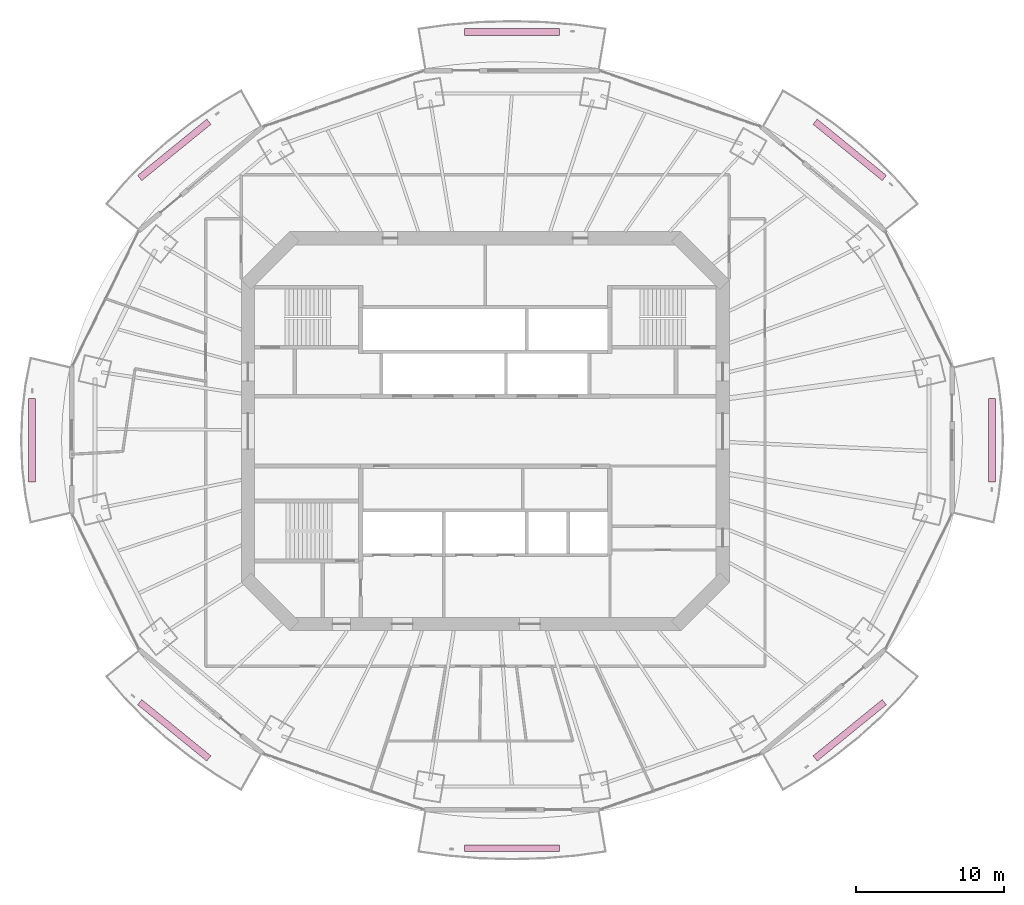
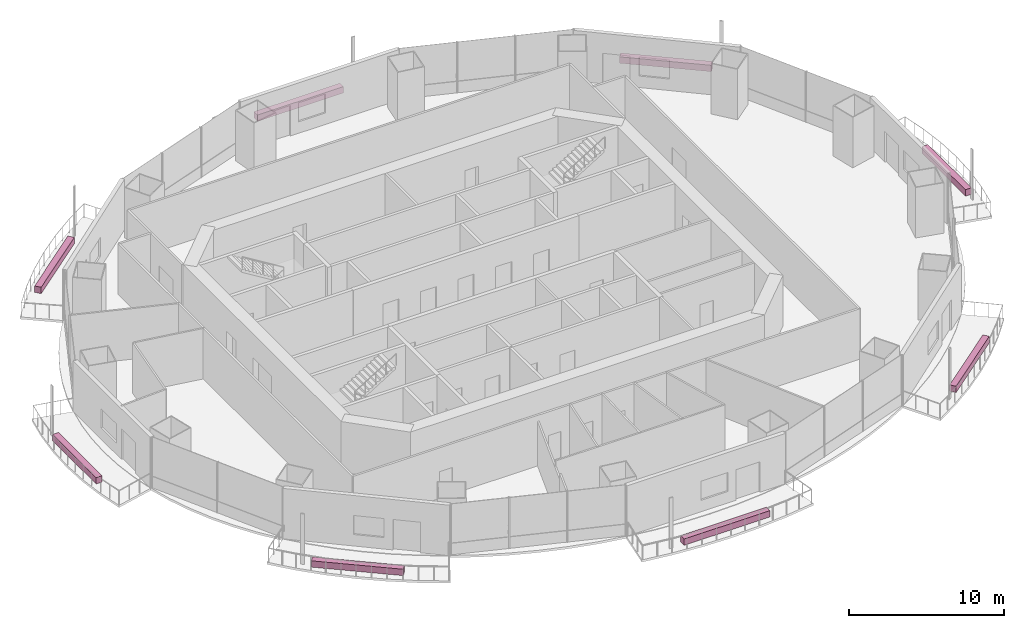
# One storey, part 19 of 19: 8 furnishings.
"""IFC4 building model written with IfcOpenShell, lengths in metres."""

from ifc_helpers import new_model, si_unit, direction, frame, origin, origin_2d, place, context, subcontext, project, spatial, rectangle, extrude, material, type_object, element, save


model = new_model("IFC4")

# Units and contexts
model_context = context("Model", 3, precision=1e-05, world=origin(), true_north=direction((0.0, 1.0)))
body_context = subcontext(model_context, "Body", "Model", "MODEL_VIEW")
ifc_project = project(units=[si_unit("LENGTHUNIT", "METRE"), si_unit("AREAUNIT", "SQUARE_METRE"), si_unit("VOLUMEUNIT", "CUBIC_METRE"), si_unit("PLANEANGLEUNIT", "RADIAN"), si_unit("MASSUNIT", "GRAM", prefix="KILO")], contexts=[model_context])

# Site, building, storey
site_placement = place(None, origin())
site = spatial("IfcSite", under=ifc_project, at=site_placement, CompositionType="ELEMENT")
building_placement = place(site_placement, origin())
building = spatial("IfcBuilding", under=site, at=building_placement, Name="Marenthal Gate Tower", CompositionType="ELEMENT")
storey_placement = place(building_placement, frame((0.0, 0.0, 244.050048828125)))
storey = spatial("IfcBuildingStorey", under=building, at=storey_placement, Name="L54", CompositionType="ELEMENT", Elevation=244.050048828125)

# Furnishings
ifc_material = material(Name="Planting soil and foliage", Category="planting")
furnishing_element_type = type_object("IfcFurnishingElementType", Name="Balcony PLANTER trough", material=ifc_material)
furnishing_1_placement = place(storey_placement, frame((24.564453125, 18.964111328125, -0.0400390625), z_axis=(0.0, 0.0, 1.0), x_axis=(-0.775469286541, 0.631385290953, 0.0)))
element("IfcFurnishingElement", 1, at=furnishing_1_placement, inside=storey, type_object=furnishing_element_type, Name="Balcony PLANTER L54 bay 2", ObjectType="PLANTER", context=body_context, shape_type="SweptSolid", body=[
    extrude(rectangle(XDim=6.0107421875, YDim=0.449951171875, at=origin_2d()), origin(), (0.0, 0.0, 1.0), 0.5),
])
furnishing_2_placement = place(storey_placement, frame((1.800048828125, 26.9140625, -0.0400390625), z_axis=(0.0, 0.0, 1.0), x_axis=(-1.0, 0.0, 0.0)))
element("IfcFurnishingElement", 2, at=furnishing_2_placement, inside=storey, type_object=furnishing_element_type, Name="Balcony PLANTER L54 bay 4", ObjectType="PLANTER", context=body_context, shape_type="SweptSolid", body=[
    extrude(rectangle(XDim=6.385498046875, YDim=0.449951171875, at=origin_2d()), origin(), (0.0, 0.0, 1.0), 0.5),
])
furnishing_3_placement = place(storey_placement, frame((-20.964599609375, 18.964111328125, -0.0400390625), z_axis=(0.0, 0.0, 1.0), x_axis=(-0.775469286541, -0.631385290953, 0.0)))
element("IfcFurnishingElement", 3, at=furnishing_3_placement, inside=storey, type_object=furnishing_element_type, Name="Balcony PLANTER L54 bay 6", ObjectType="PLANTER", context=body_context, shape_type="SweptSolid", body=[
    extrude(rectangle(XDim=6.0107421875, YDim=0.449951171875, at=origin_2d()), origin(), (0.0, 0.0, 1.0), 0.5),
])
furnishing_4_placement = place(storey_placement, frame((-30.56005859375, -0.60009765625, -0.0400390625), z_axis=(0.0, 0.0, 1.0), x_axis=(0.0, -1.0, 0.0)))
element("IfcFurnishingElement", 4, at=furnishing_4_placement, inside=storey, type_object=furnishing_element_type, Name="Balcony PLANTER L54 bay 8", ObjectType="PLANTER", context=body_context, shape_type="SweptSolid", body=[
    extrude(rectangle(XDim=5.623291015625, YDim=0.449951171875, at=origin_2d()), origin(), (0.0, 0.0, 1.0), 0.5),
])
furnishing_5_placement = place(storey_placement, frame((-20.964599609375, -20.1640625, -0.0400390625), z_axis=(0.0, 0.0, 1.0), x_axis=(0.775469286541, -0.631385290953, 0.0)))
element("IfcFurnishingElement", 5, at=furnishing_5_placement, inside=storey, type_object=furnishing_element_type, Name="Balcony PLANTER L54 bay 10", ObjectType="PLANTER", context=body_context, shape_type="SweptSolid", body=[
    extrude(rectangle(XDim=6.0107421875, YDim=0.449951171875, at=origin_2d()), origin(), (0.0, 0.0, 1.0), 0.5),
])
furnishing_6_placement = place(storey_placement, frame((1.800048828125, -28.114013671875, -0.0400390625), z_axis=(0.0, 0.0, 1.0), x_axis=(1.0, 0.0, 0.0)))
element("IfcFurnishingElement", 6, at=furnishing_6_placement, inside=storey, type_object=furnishing_element_type, Name="Balcony PLANTER L54 bay 12", ObjectType="PLANTER", context=body_context, shape_type="SweptSolid", body=[
    extrude(rectangle(XDim=6.385498046875, YDim=0.449951171875, at=origin_2d()), origin(), (0.0, 0.0, 1.0), 0.5),
])
furnishing_7_placement = place(storey_placement, frame((24.564453125, -20.1640625, -0.0400390625), z_axis=(0.0, 0.0, 1.0), x_axis=(0.775469286541, 0.631385290953, 0.0)))
element("IfcFurnishingElement", 7, at=furnishing_7_placement, inside=storey, type_object=furnishing_element_type, Name="Balcony PLANTER L54 bay 14", ObjectType="PLANTER", context=body_context, shape_type="SweptSolid", body=[
    extrude(rectangle(XDim=6.0107421875, YDim=0.449951171875, at=origin_2d()), origin(), (0.0, 0.0, 1.0), 0.5),
])
furnishing_8_placement = place(storey_placement, frame((34.159912109375, -0.60009765625, -0.0400390625), z_axis=(0.0, 0.0, 1.0), x_axis=(0.0, 1.0, 0.0)))
element("IfcFurnishingElement", 8, at=furnishing_8_placement, inside=storey, type_object=furnishing_element_type, Name="Balcony PLANTER L54 bay 16", ObjectType="PLANTER", context=body_context, shape_type="SweptSolid", body=[
    extrude(rectangle(XDim=5.623291015625, YDim=0.449951171875, at=origin_2d()), origin(), (0.0, 0.0, 1.0), 0.5),
])

save(model, "model.ifc")
